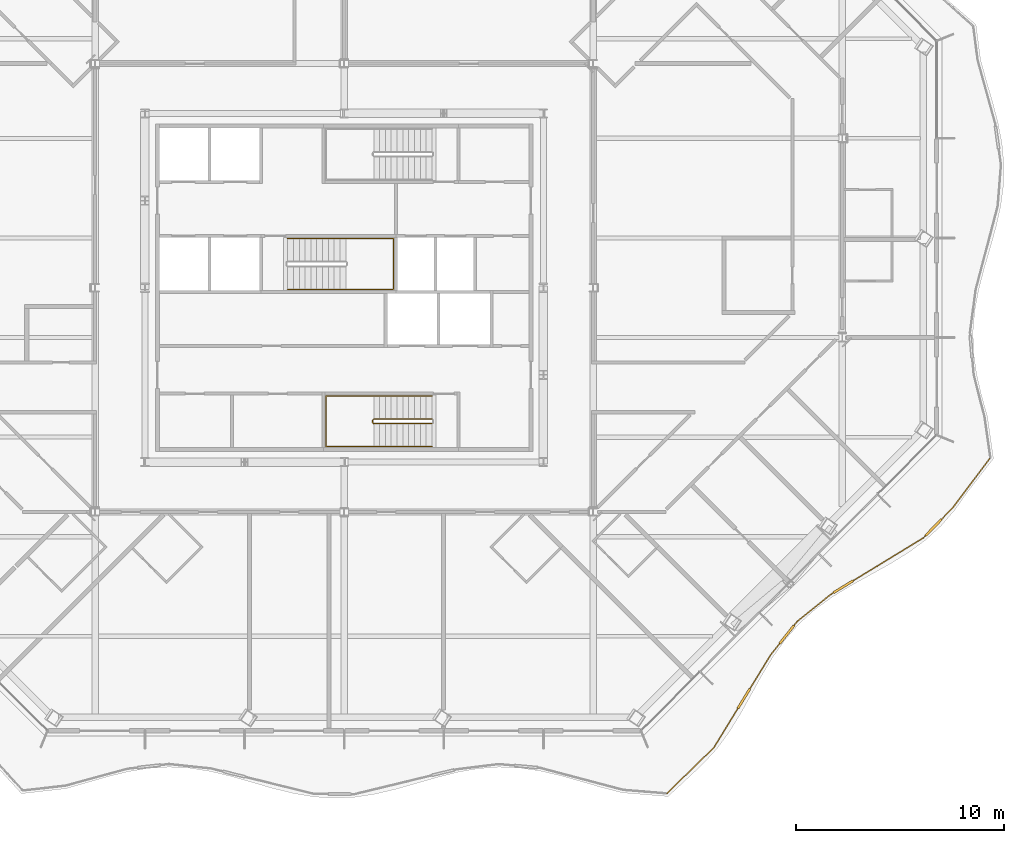
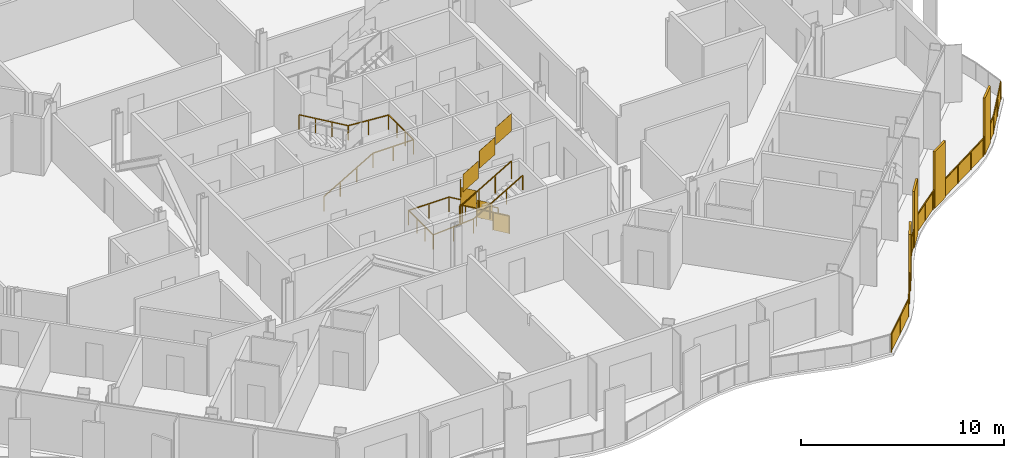
# One storey, part 18 of 21: 4 railings.
"""IFC4 building model written with IfcOpenShell, lengths in metres."""

from ifc_helpers import new_model, si_unit, direction, frame, origin, origin_2d, place, context, subcontext, project, spatial, polyline, rectangle, outline, extrude, material, type_object, element, save


model = new_model("IFC4")

# Units and contexts
model_context = context("Model", 3, precision=1e-05, world=origin(), true_north=direction((0.0, 1.0)))
body_context = subcontext(model_context, "Body", "Model", "MODEL_VIEW")
ifc_project = project(units=[si_unit("LENGTHUNIT", "METRE"), si_unit("AREAUNIT", "SQUARE_METRE"), si_unit("VOLUMEUNIT", "CUBIC_METRE"), si_unit("PLANEANGLEUNIT", "RADIAN"), si_unit("MASSUNIT", "GRAM", prefix="KILO")], contexts=[model_context])

# Site, building, storey
site_placement = place(None, origin())
site = spatial("IfcSite", under=ifc_project, at=site_placement, CompositionType="ELEMENT")
building_placement = place(site_placement, origin())
building = spatial("IfcBuilding", under=site, at=building_placement, Name="Cairn Pilgrim Tower", CompositionType="ELEMENT")
storey_placement = place(building_placement, frame((0.0, 0.0, 172.199951171875)))
storey = spatial("IfcBuildingStorey", under=building, at=storey_placement, Name="L43", CompositionType="ELEMENT", Elevation=172.199951171875)

# Railings
ifc_material_1 = material(Name="Bronze anodised aluminium rail, posts and fin screens with laminated glass infill", Category="aluminium")
railing_type_1 = type_object("IfcRailingType", Name="BALCONY GUARD WITH FIN SCREENS", PredefinedType="GUARDRAIL", material=ifc_material_1)
railing_1_placement = place(storey_placement, frame((22.7529296875, -21.963134765625, 0.0)))
element("IfcRailing", 1, at=railing_1_placement, inside=storey, type_object=railing_type_1, Name="Balcony guard BGF-2 with fin screens", PredefinedType="GUARDRAIL", context=body_context, shape_type="SweptSolid", body=[
    extrude(rectangle(XDim=0.050048828125, YDim=0.050048828125, at=origin_2d()), frame((0.0, 0.0, 1.0751953125), z_axis=(0.716130519256, 0.697966388439, 0.0), x_axis=(-0.697966388439, 0.716130519256, 0.0)), (0.0, 0.0, 1.0), 3.15869140625),
    extrude(rectangle(XDim=1.10009765625, YDim=0.110107421875, at=origin_2d()), frame((3.70947265625, 4.569091796875, 0.0), z_axis=(0.0, 0.0, 1.0), x_axis=(0.52208660069, 0.852892479378, 0.0)), (0.0, 0.0, 1.0), 3.39990234375),
    extrude(rectangle(XDim=0.050048828125, YDim=0.050048828125, at=origin_2d()), frame((2.261962890625, 2.20458984375, 1.0751953125), z_axis=(0.52208660069, 0.852892479378, 0.0), x_axis=(-0.852892479378, 0.52208660069, 0.0)), (0.0, 0.0, 1.0), 2.222412109375),
    extrude(rectangle(XDim=0.050048828125, YDim=0.050048828125, at=origin_2d()), frame((3.99658203125, 5.038330078125, 1.0751953125), z_axis=(0.52208660069, 0.852892479378, 0.0), x_axis=(-0.852892479378, 0.52208660069, 0.0)), (0.0, 0.0, 1.0), 1.904296875),
    extrude(rectangle(XDim=1.10009765625, YDim=0.110107421875, at=origin_2d()), frame((5.779052734375, 7.65625, 0.0), z_axis=(0.0, 0.0, 1.0), x_axis=(0.621419604969, 0.783477934955, 0.0)), (0.0, 0.0, 1.0), 3.39990234375),
    extrude(rectangle(XDim=0.050048828125, YDim=0.050048828125, at=origin_2d()), frame((4.99072265625, 6.662353515625, 1.0751953125), z_axis=(0.621419604969, 0.783477934955, 0.0), x_axis=(-0.783477934955, 0.621419604969, 0.0)), (0.0, 0.0, 1.0), 0.71875),
    extrude(rectangle(XDim=0.050048828125, YDim=0.050048828125, at=origin_2d()), frame((6.120849609375, 8.087158203125, 1.0751953125), z_axis=(0.621419604969, 0.783477934955, 0.0), x_axis=(-0.783477934955, 0.621419604969, 0.0)), (0.0, 0.0, 1.0), 0.25732421875),
    extrude(rectangle(XDim=0.050048828125, YDim=0.050048828125, at=origin_2d()), frame((6.28076171875, 8.288818359375, 1.0751953125), z_axis=(0.778867272827, 0.627188784434, 0.0), x_axis=(-0.627188784434, 0.778867272827, 0.0)), (0.0, 0.0, 1.0), 2.07470703125),
    extrude(rectangle(XDim=1.10009765625, YDim=0.110107421875, at=origin_2d()), frame((8.494140625, 9.95458984375, 0.0), z_axis=(0.0, 0.0, 1.0), x_axis=(0.853679739553, 0.520798331677, 0.0)), (0.0, 0.0, 1.0), 3.39990234375),
    extrude(rectangle(XDim=0.050048828125, YDim=0.050048828125, at=origin_2d()), frame((7.896728515625, 9.590087890625, 1.0751953125), z_axis=(0.853679739553, 0.520798331677, 0.0), x_axis=(-0.520798331677, 0.853679739553, 0.0)), (0.0, 0.0, 1.0), 0.14990234375),
    extrude(rectangle(XDim=0.050048828125, YDim=0.050048828125, at=origin_2d()), frame((8.9638671875, 10.240966796875, 1.0751953125), z_axis=(0.853679739553, 0.520798331677, 0.0), x_axis=(-0.520798331677, 0.853679739553, 0.0)), (0.0, 0.0, 1.0), 3.979248046875),
    extrude(rectangle(XDim=1.10009765625, YDim=0.110107421875, at=origin_2d()), frame((12.849609375, 12.814453125, 0.0), z_axis=(0.0, 0.0, 1.0), x_axis=(0.698360314303, 0.71574637366, 0.0)), (0.0, 0.0, 1.0), 3.39990234375),
    extrude(rectangle(XDim=0.050048828125, YDim=0.050048828125, at=origin_2d()), frame((12.36083984375, 12.3134765625, 1.0751953125), z_axis=(0.698360314303, 0.71574637366, 0.0), x_axis=(-0.71574637366, 0.698360314303, 0.0)), (0.0, 0.0, 1.0), 0.14990234375),
    extrude(rectangle(XDim=0.050048828125, YDim=0.050048828125, at=origin_2d()), frame((13.23388671875, 13.208251953125, 1.0751953125), z_axis=(0.698360314303, 0.71574637366, 0.0), x_axis=(-0.71574637366, 0.698360314303, 0.0)), (0.0, 0.0, 1.0), 0.758056640625),
    extrude(rectangle(XDim=0.050048828125, YDim=0.050048828125, at=origin_2d()), frame((13.76318359375, 13.750732421875, 1.0751953125), z_axis=(0.600605369971, 0.799545614435, 0.0), x_axis=(-0.799545614435, 0.600605369971, 0.0)), (0.0, 0.0, 1.0), 2.96728515625),
    extrude(rectangle(XDim=0.050048828125, YDim=0.050048828125, at=origin_2d()), origin(), (0.0, 0.0, 1.0), 1.050048828125),
    extrude(rectangle(XDim=0.050048828125, YDim=0.050048828125, at=origin_2d()), frame((1.130859375, 1.102294921875, 0.0)), (0.0, 0.0, 1.0), 1.050048828125),
    extrude(rectangle(XDim=0.050048828125, YDim=0.050048828125, at=origin_2d()), frame((2.261962890625, 2.20458984375, 0.0)), (0.0, 0.0, 1.0), 1.050048828125),
    extrude(rectangle(XDim=0.050048828125, YDim=0.050048828125, at=origin_2d()), frame((2.835693359375, 3.1416015625, 0.0)), (0.0, 0.0, 1.0), 1.050048828125),
    extrude(rectangle(XDim=0.050048828125, YDim=0.050048828125, at=origin_2d()), frame((3.4091796875, 4.07861328125, 0.0)), (0.0, 0.0, 1.0), 1.050048828125),
    extrude(rectangle(XDim=0.050048828125, YDim=0.050048828125, at=origin_2d()), frame((4.009521484375, 5.0595703125, 0.0)), (0.0, 0.0, 1.0), 1.050048828125),
    extrude(rectangle(XDim=0.050048828125, YDim=0.050048828125, at=origin_2d()), frame((4.500244140625, 5.861083984375, 0.0)), (0.0, 0.0, 1.0), 1.050048828125),
    extrude(rectangle(XDim=0.050048828125, YDim=0.050048828125, at=origin_2d()), frame((4.99072265625, 6.662353515625, 0.0)), (0.0, 0.0, 1.0), 1.050048828125),
    extrude(rectangle(XDim=0.050048828125, YDim=0.050048828125, at=origin_2d()), frame((5.421875, 7.205810546875, 0.0)), (0.0, 0.0, 1.0), 1.050048828125),
    extrude(rectangle(XDim=0.050048828125, YDim=0.050048828125, at=origin_2d()), frame((6.136474609375, 8.10693359375, 0.0)), (0.0, 0.0, 1.0), 1.050048828125),
    extrude(rectangle(XDim=0.050048828125, YDim=0.050048828125, at=origin_2d()), frame((6.28076171875, 8.288818359375, 0.0)), (0.0, 0.0, 1.0), 1.050048828125),
    extrude(rectangle(XDim=0.050048828125, YDim=0.050048828125, at=origin_2d()), frame((7.0888671875, 8.939453125, 0.0)), (0.0, 0.0, 1.0), 1.050048828125),
    extrude(rectangle(XDim=0.050048828125, YDim=0.050048828125, at=origin_2d()), frame((7.896728515625, 9.590087890625, 0.0)), (0.0, 0.0, 1.0), 1.050048828125),
    extrude(rectangle(XDim=0.050048828125, YDim=0.050048828125, at=origin_2d()), frame((8.00341796875, 9.655029296875, 0.0)), (0.0, 0.0, 1.0), 1.050048828125),
    extrude(rectangle(XDim=0.050048828125, YDim=0.050048828125, at=origin_2d()), frame((8.985107421875, 10.254150390625, 0.0)), (0.0, 0.0, 1.0), 1.050048828125),
    extrude(rectangle(XDim=0.050048828125, YDim=0.050048828125, at=origin_2d()), frame((10.1103515625, 10.940673828125, 0.0)), (0.0, 0.0, 1.0), 1.050048828125),
    extrude(rectangle(XDim=0.050048828125, YDim=0.050048828125, at=origin_2d()), frame((11.235595703125, 11.626953125, 0.0)), (0.0, 0.0, 1.0), 1.050048828125),
    extrude(rectangle(XDim=0.050048828125, YDim=0.050048828125, at=origin_2d()), frame((12.36083984375, 12.3134765625, 0.0)), (0.0, 0.0, 1.0), 1.050048828125),
    extrude(rectangle(XDim=0.050048828125, YDim=0.050048828125, at=origin_2d()), frame((12.447998046875, 12.40283203125, 0.0)), (0.0, 0.0, 1.0), 1.050048828125),
    extrude(rectangle(XDim=0.050048828125, YDim=0.050048828125, at=origin_2d()), frame((13.251220703125, 13.22607421875, 0.0)), (0.0, 0.0, 1.0), 1.050048828125),
    extrude(rectangle(XDim=0.050048828125, YDim=0.050048828125, at=origin_2d()), frame((13.76318359375, 13.750732421875, 0.0)), (0.0, 0.0, 1.0), 1.050048828125),
    extrude(rectangle(XDim=0.050048828125, YDim=0.050048828125, at=origin_2d()), frame((14.654296875, 14.93701171875, 0.0)), (0.0, 0.0, 1.0), 1.050048828125),
    extrude(rectangle(XDim=0.050048828125, YDim=0.050048828125, at=origin_2d()), frame((15.54541015625, 16.123291015625, 0.0)), (0.0, 0.0, 1.0), 1.050048828125),
    extrude(outline(polyline([(0.02490234375, 0.0), (1.55419921875, 0.0), (1.55419921875, 1.050048828125), (0.02490234375, 1.050048828125), (0.02490234375, 0.0)])), frame((-0.004150390625, 0.00439453125, 0.0), z_axis=(0.697966388439, -0.716130519256, 0.0), x_axis=(0.716130519256, 0.697966388439, 0.0)), (0.0, 0.0, 1.0), 0.011962890625),
    extrude(outline(polyline([(0.02490234375, 0.0), (1.55419921875, 0.0), (1.55419921875, 1.050048828125), (0.02490234375, 1.050048828125), (0.02490234375, 0.0)])), frame((1.126708984375, 1.106689453125, 0.0), z_axis=(0.697966388439, -0.716130519256, 0.0), x_axis=(0.716130519256, 0.697966388439, 0.0)), (0.0, 0.0, 1.0), 0.011962890625),
    extrude(outline(polyline([(0.02490234375, 0.0), (1.07373046875, 0.0), (1.07373046875, 1.050048828125), (0.02490234375, 1.050048828125), (0.02490234375, 0.0)])), frame((2.2568359375, 2.207763671875, 0.0), z_axis=(0.852892479378, -0.52208660069, 0.0), x_axis=(0.52208660069, 0.852892479378, 0.0)), (0.0, 0.0, 1.0), 0.011962890625),
    extrude(outline(polyline([(0.02490234375, 0.0), (1.07373046875, 0.0), (1.07373046875, 1.050048828125), (0.02490234375, 1.050048828125), (0.02490234375, 0.0)])), frame((2.83056640625, 3.144775390625, 0.0), z_axis=(0.852892479378, -0.52208660069, 0.0), x_axis=(0.52208660069, 0.852892479378, 0.0)), (0.0, 0.0, 1.0), 0.011962890625),
    extrude(outline(polyline([(0.02490234375, 0.0), (0.91455078125, 0.0), (0.91455078125, 1.050048828125), (0.02490234375, 1.050048828125), (0.02490234375, 0.0)])), frame((4.00439453125, 5.062744140625, 0.0), z_axis=(0.852892479378, -0.52208660069, 0.0), x_axis=(0.52208660069, 0.852892479378, 0.0)), (0.0, 0.0, 1.0), 0.011962890625),
    extrude(outline(polyline([(0.02490234375, 0.0), (0.91455078125, 0.0), (0.91455078125, 1.050048828125), (0.02490234375, 1.050048828125), (0.02490234375, 0.0)])), frame((4.4951171875, 5.864013671875, 0.0), z_axis=(0.852892479378, -0.52208660069, 0.0), x_axis=(0.52208660069, 0.852892479378, 0.0)), (0.0, 0.0, 1.0), 0.011962890625),
    extrude(outline(polyline([(0.02490234375, 0.0), (0.668701171875, 0.0), (0.668701171875, 1.050048828125), (0.02490234375, 1.050048828125), (0.02490234375, 0.0)])), frame((4.986083984375, 6.666015625, 0.0), z_axis=(0.783477934955, -0.621419604969, 0.0), x_axis=(0.621419604969, 0.783477934955, 0.0)), (0.0, 0.0, 1.0), 0.011962890625),
    extrude(outline(polyline([(0.02490234375, 0.0), (0.207275390625, 0.0), (0.207275390625, 1.050048828125), (0.02490234375, 1.050048828125), (0.02490234375, 0.0)])), frame((6.1318359375, 8.110595703125, 0.0), z_axis=(0.783477934955, -0.621419604969, 0.0), x_axis=(0.621419604969, 0.783477934955, 0.0)), (0.0, 0.0, 1.0), 0.011962890625),
    extrude(outline(polyline([(0.02490234375, 0.0), (1.012451171875, 0.0), (1.012451171875, 1.050048828125), (0.02490234375, 1.050048828125), (0.02490234375, 0.0)])), frame((6.277099609375, 8.29345703125, 0.0), z_axis=(0.627188784434, -0.778867272827, 0.0), x_axis=(0.778867272827, 0.627188784434, 0.0)), (0.0, 0.0, 1.0), 0.011962890625),
    extrude(outline(polyline([(0.02490234375, 0.0), (1.012451171875, 0.0), (1.012451171875, 1.050048828125), (0.02490234375, 1.050048828125), (0.02490234375, 0.0)])), frame((7.0849609375, 8.944091796875, 0.0), z_axis=(0.627188784434, -0.778867272827, 0.0), x_axis=(0.778867272827, 0.627188784434, 0.0)), (0.0, 0.0, 1.0), 0.011962890625),
    extrude(outline(polyline([(0.02490234375, 0.0), (0.099853515625, 0.0), (0.099853515625, 1.050048828125), (0.02490234375, 1.050048828125), (0.02490234375, 0.0)])), frame((7.8935546875, 9.59521484375, 0.0), z_axis=(0.520798331677, -0.853679739553, 0.0), x_axis=(0.853679739553, 0.520798331677, 0.0)), (0.0, 0.0, 1.0), 0.011962890625),
    extrude(outline(polyline([(0.02490234375, 0.0), (1.29296875, 0.0), (1.29296875, 1.050048828125), (0.02490234375, 1.050048828125), (0.02490234375, 0.0)])), frame((8.98193359375, 10.25927734375, 0.0), z_axis=(0.520798331677, -0.853679739553, 0.0), x_axis=(0.853679739553, 0.520798331677, 0.0)), (0.0, 0.0, 1.0), 0.011962890625),
    extrude(outline(polyline([(0.02490234375, 0.0), (1.29296875, 0.0), (1.29296875, 1.050048828125), (0.02490234375, 1.050048828125), (0.02490234375, 0.0)])), frame((10.107177734375, 10.945556640625, 0.0), z_axis=(0.520798331677, -0.853679739553, 0.0), x_axis=(0.853679739553, 0.520798331677, 0.0)), (0.0, 0.0, 1.0), 0.011962890625),
    extrude(outline(polyline([(0.02490234375, 0.0), (1.29296875, 0.0), (1.29296875, 1.050048828125), (0.02490234375, 1.050048828125), (0.02490234375, 0.0)])), frame((11.232421875, 11.632080078125, 0.0), z_axis=(0.520798331677, -0.853679739553, 0.0), x_axis=(0.853679739553, 0.520798331677, 0.0)), (0.0, 0.0, 1.0), 0.011962890625),
    extrude(outline(polyline([(0.02490234375, 0.0), (0.099853515625, 0.0), (0.099853515625, 1.050048828125), (0.02490234375, 1.050048828125), (0.02490234375, 0.0)])), frame((12.3564453125, 12.317626953125, 0.0), z_axis=(0.71574637366, -0.698360314303, 0.0), x_axis=(0.698360314303, 0.71574637366, 0.0)), (0.0, 0.0, 1.0), 0.011962890625),
    extrude(outline(polyline([(0.02490234375, 0.0), (0.7080078125, 0.0), (0.7080078125, 1.050048828125), (0.02490234375, 1.050048828125), (0.02490234375, 0.0)])), frame((13.2470703125, 13.230224609375, 0.0), z_axis=(0.71574637366, -0.698360314303, 0.0), x_axis=(0.698360314303, 0.71574637366, 0.0)), (0.0, 0.0, 1.0), 0.011962890625),
    extrude(outline(polyline([(0.02490234375, 0.0), (1.458740234375, 0.0), (1.458740234375, 1.050048828125), (0.02490234375, 1.050048828125), (0.02490234375, 0.0)])), frame((13.75830078125, 13.75439453125, 0.0), z_axis=(0.799545614435, -0.600605369971, 0.0), x_axis=(0.600605369971, 0.799545614435, 0.0)), (0.0, 0.0, 1.0), 0.011962890625),
    extrude(outline(polyline([(0.02490234375, 0.0), (1.458740234375, 0.0), (1.458740234375, 1.050048828125), (0.02490234375, 1.050048828125), (0.02490234375, 0.0)])), frame((14.6494140625, 14.940673828125, 0.0), z_axis=(0.799545614435, -0.600605369971, 0.0), x_axis=(0.600605369971, 0.799545614435, 0.0)), (0.0, 0.0, 1.0), 0.011962890625),
])
ifc_material_2 = material(Name="Painted steel", Category="steel")
railing_type_2 = type_object("IfcRailingType", Name="STAIR GUARD 1100", PredefinedType="GUARDRAIL", material=ifc_material_2)
railing_2_placement = place(storey_placement, frame((11.425048828125, -3.925048828125, 0.16357421875)))
element("IfcRailing", 2, at=railing_2_placement, inside=storey, type_object=railing_type_2, Name="L43 ST-A stair guard 1", PredefinedType="GUARDRAIL", context=body_context, shape_type="SweptSolid", body=[
    extrude(rectangle(XDim=0.048095703125, YDim=0.048095703125, at=origin_2d()), frame((0.0, 0.0, 1.076171875), z_axis=(-0.863360870873, 0.0, 0.504586966384), x_axis=(0.0, -1.0, 0.0)), (0.0, 0.0, 1.0), 3.2431640625),
    extrude(rectangle(XDim=0.048095703125, YDim=0.048095703125, at=origin_2d()), frame((-2.800048828125, 0.0, 2.71240234375), z_axis=(-0.707106781187, -0.707106781187, 0.0), x_axis=(0.707106781187, -0.707106781187, 0.0)), (0.0, 0.0, 1.0), 0.07080078125),
    extrude(rectangle(XDim=0.048095703125, YDim=0.048095703125, at=origin_2d()), frame((-2.85009765625, -0.050048828125, 2.71240234375), z_axis=(0.0, -1.0, 0.0), x_axis=(1.0, 0.0, 0.0)), (0.0, 0.0, 1.0), 0.125),
    extrude(rectangle(XDim=0.048095703125, YDim=0.048095703125, at=origin_2d()), frame((-2.85009765625, -0.175048828125, 2.71240234375), z_axis=(0.280916556609, -0.279546231943, 0.91811752648), x_axis=(0.705375805398, 0.708833529934, 0.0)), (0.0, 0.0, 1.0), 0.17822265625),
    extrude(rectangle(XDim=0.048095703125, YDim=0.048095703125, at=origin_2d()), frame((-2.800048828125, -0.224853515625, 2.8759765625), z_axis=(0.863360870873, 0.0, 0.504586966384), x_axis=(0.0, 1.0, 0.0)), (0.0, 0.0, 1.0), 3.2431640625),
    extrude(rectangle(XDim=0.0419921875, YDim=0.0419921875, at=origin_2d()), origin(), (0.0, 0.0, 1.0), 1.052001953125),
    extrude(rectangle(XDim=0.0419921875, YDim=0.0419921875, at=origin_2d()), frame((-0.933349609375, 0.0, 0.54541015625)), (0.0, 0.0, 1.0), 1.052001953125),
    extrude(rectangle(XDim=0.0419921875, YDim=0.0419921875, at=origin_2d()), frame((-1.86669921875, 0.0, 1.091064453125)), (0.0, 0.0, 1.0), 1.052001953125),
    extrude(rectangle(XDim=0.0419921875, YDim=0.0419921875, at=origin_2d()), frame((-2.800048828125, 0.0, 1.636474609375)), (0.0, 0.0, 1.0), 1.052001953125),
    extrude(rectangle(XDim=0.0419921875, YDim=0.0419921875, at=origin_2d()), frame((-2.85009765625, -0.050048828125, 1.636474609375)), (0.0, 0.0, 1.0), 1.052001953125),
    extrude(rectangle(XDim=0.0419921875, YDim=0.0419921875, at=origin_2d()), frame((-2.85009765625, -0.175048828125, 1.636474609375)), (0.0, 0.0, 1.0), 1.052001953125),
    extrude(rectangle(XDim=0.0419921875, YDim=0.0419921875, at=origin_2d()), frame((-2.800048828125, -0.224853515625, 1.800048828125)), (0.0, 0.0, 1.0), 1.052001953125),
    extrude(rectangle(XDim=0.0419921875, YDim=0.0419921875, at=origin_2d()), frame((-1.86669921875, -0.224853515625, 2.345458984375)), (0.0, 0.0, 1.0), 1.052001953125),
    extrude(rectangle(XDim=0.0419921875, YDim=0.0419921875, at=origin_2d()), frame((-0.933349609375, -0.224853515625, 2.89111328125)), (0.0, 0.0, 1.0), 1.052001953125),
    extrude(rectangle(XDim=0.0419921875, YDim=0.0419921875, at=origin_2d()), frame((0.0, -0.224853515625, 3.4365234375)), (0.0, 0.0, 1.0), 1.052001953125),
    extrude(outline(polyline([(0.02099609375, 0.01220703125), (0.912353515625, 0.533203125), (0.912353515625, 1.585205078125), (0.02099609375, 1.064208984375), (0.02099609375, 0.01220703125)])), frame((0.0, -0.005859375, 0.0), z_axis=(0.0, 1.0, 0.0), x_axis=(-1.0, 0.0, 0.0)), (0.0, 0.0, 1.0), 0.011962890625),
    extrude(outline(polyline([(0.02099609375, 0.557861328125), (0.912353515625, 1.07861328125), (0.912353515625, 2.130615234375), (0.02099609375, 1.60986328125), (0.02099609375, 0.557861328125)])), frame((-0.933349609375, -0.005859375, 0.54541015625), z_axis=(0.0, 1.0, 0.0), x_axis=(-1.0, 0.0, 0.0)), (0.0, 0.0, 1.0), 0.011962890625),
    extrude(outline(polyline([(0.02099609375, 1.103271484375), (0.912353515625, 1.624267578125), (0.912353515625, 2.67626953125), (0.02099609375, 2.1552734375), (0.02099609375, 1.103271484375)])), frame((-1.86669921875, -0.005859375, 1.091064453125), z_axis=(0.0, 1.0, 0.0), x_axis=(-1.0, 0.0, 0.0)), (0.0, 0.0, 1.0), 0.011962890625),
    extrude(outline(polyline([(0.02099609375, 1.636474609375), (0.10400390625, 1.636474609375), (0.10400390625, 2.6884765625), (0.02099609375, 2.6884765625), (0.02099609375, 1.636474609375)])), frame((-2.84423828125, -0.050048828125, 1.636474609375), z_axis=(-1.0, 0.0, 0.0), x_axis=(0.0, -1.0, 0.0)), (0.0, 0.0, 1.0), 0.011962890625),
    extrude(outline(polyline([(0.02099609375, 1.812255859375), (0.912353515625, 2.333251953125), (0.912353515625, 3.38525390625), (0.02099609375, 2.8642578125), (0.02099609375, 1.812255859375)])), frame((-2.800048828125, -0.21875, 1.800048828125), z_axis=(0.0, -1.0, 0.0), x_axis=(1.0, 0.0, 0.0)), (0.0, 0.0, 1.0), 0.011962890625),
    extrude(outline(polyline([(0.02099609375, 2.35791015625), (0.912353515625, 2.878662109375), (0.912353515625, 3.9306640625), (0.02099609375, 3.409912109375), (0.02099609375, 2.35791015625)])), frame((-1.86669921875, -0.21875, 2.345458984375), z_axis=(0.0, -1.0, 0.0), x_axis=(1.0, 0.0, 0.0)), (0.0, 0.0, 1.0), 0.011962890625),
    extrude(outline(polyline([(0.02099609375, 2.9033203125), (0.912353515625, 3.42431640625), (0.912353515625, 4.476318359375), (0.02099609375, 3.955322265625), (0.02099609375, 2.9033203125)])), frame((-0.933349609375, -0.21875, 2.89111328125), z_axis=(0.0, -1.0, 0.0), x_axis=(1.0, 0.0, 0.0)), (0.0, 0.0, 1.0), 0.011962890625),
])
railing_type_3 = type_object("IfcRailingType", Name="STAIR HANDRAIL 900", PredefinedType="HANDRAIL", material=ifc_material_2)
railing_3_placement = place(storey_placement, frame((11.425048828125, -2.824951171875, 0.16357421875)))
element("IfcRailing", 3, at=railing_3_placement, inside=storey, type_object=railing_type_3, Name="L43 ST-A stair handrail 1", PredefinedType="HANDRAIL", context=body_context, shape_type="SweptSolid", body=[
    extrude(rectangle(XDim=0.048095703125, YDim=0.048095703125, at=origin_2d()), frame((0.0, 0.0, 0.8759765625), z_axis=(-0.863360870873, 0.0, 0.504586966384), x_axis=(0.0, -1.0, 0.0)), (0.0, 0.0, 1.0), 3.2431640625),
    extrude(rectangle(XDim=0.048095703125, YDim=0.048095703125, at=origin_2d()), frame((-2.800048828125, 0.0, 2.51220703125), z_axis=(-1.0, 0.0, 0.0), x_axis=(0.0, -1.0, 0.0)), (0.0, 0.0, 1.0), 2.300048828125),
    extrude(rectangle(XDim=0.048095703125, YDim=0.048095703125, at=origin_2d()), frame((-5.10009765625, 0.0, 2.51220703125), z_axis=(0.0, -1.0, 0.0), x_axis=(1.0, 0.0, 0.0)), (0.0, 0.0, 1.0), 2.425048828125),
    extrude(rectangle(XDim=0.048095703125, YDim=0.048095703125, at=origin_2d()), frame((-5.10009765625, -2.425048828125, 2.51220703125), z_axis=(0.997480687736, 0.0, 0.070938548008), x_axis=(0.0, 1.0, 0.0)), (0.0, 0.0, 1.0), 2.305908203125),
    extrude(rectangle(XDim=0.048095703125, YDim=0.048095703125, at=origin_2d()), frame((-2.800048828125, -2.425048828125, 2.67578125), z_axis=(0.863360870873, 0.0, 0.504586966384), x_axis=(0.0, 1.0, 0.0)), (0.0, 0.0, 1.0), 3.2431640625),
    extrude(rectangle(XDim=0.0419921875, YDim=0.0419921875, at=origin_2d()), origin(), (0.0, 0.0, 1.0), 0.851806640625),
    extrude(rectangle(XDim=0.0419921875, YDim=0.0419921875, at=origin_2d()), frame((-0.933349609375, 0.0, 0.54541015625)), (0.0, 0.0, 1.0), 0.851806640625),
    extrude(rectangle(XDim=0.0419921875, YDim=0.0419921875, at=origin_2d()), frame((-1.86669921875, 0.0, 1.091064453125)), (0.0, 0.0, 1.0), 0.851806640625),
    extrude(rectangle(XDim=0.0419921875, YDim=0.0419921875, at=origin_2d()), frame((-2.800048828125, 0.0, 1.636474609375)), (0.0, 0.0, 1.0), 0.851806640625),
    extrude(rectangle(XDim=0.0419921875, YDim=0.0419921875, at=origin_2d()), frame((-3.9501953125, 0.0, 1.636474609375)), (0.0, 0.0, 1.0), 0.851806640625),
    extrude(rectangle(XDim=0.0419921875, YDim=0.0419921875, at=origin_2d()), frame((-5.10009765625, 0.0, 1.636474609375)), (0.0, 0.0, 1.0), 0.851806640625),
    extrude(rectangle(XDim=0.0419921875, YDim=0.0419921875, at=origin_2d()), frame((-5.10009765625, -0.808349609375, 1.636474609375)), (0.0, 0.0, 1.0), 0.851806640625),
    extrude(rectangle(XDim=0.0419921875, YDim=0.0419921875, at=origin_2d()), frame((-5.10009765625, -1.61669921875, 1.636474609375)), (0.0, 0.0, 1.0), 0.851806640625),
    extrude(rectangle(XDim=0.0419921875, YDim=0.0419921875, at=origin_2d()), frame((-5.10009765625, -2.425048828125, 1.636474609375)), (0.0, 0.0, 1.0), 0.851806640625),
    extrude(rectangle(XDim=0.0419921875, YDim=0.0419921875, at=origin_2d()), frame((-3.9501953125, -2.425048828125, 1.71826171875)), (0.0, 0.0, 1.0), 0.851806640625),
    extrude(rectangle(XDim=0.0419921875, YDim=0.0419921875, at=origin_2d()), frame((-2.800048828125, -2.425048828125, 1.800048828125)), (0.0, 0.0, 1.0), 0.851806640625),
    extrude(rectangle(XDim=0.0419921875, YDim=0.0419921875, at=origin_2d()), frame((-1.86669921875, -2.425048828125, 2.345458984375)), (0.0, 0.0, 1.0), 0.851806640625),
    extrude(rectangle(XDim=0.0419921875, YDim=0.0419921875, at=origin_2d()), frame((-0.933349609375, -2.425048828125, 2.89111328125)), (0.0, 0.0, 1.0), 0.851806640625),
    extrude(rectangle(XDim=0.0419921875, YDim=0.0419921875, at=origin_2d()), frame((0.0, -2.425048828125, 3.4365234375)), (0.0, 0.0, 1.0), 0.851806640625),
])
railing_4_placement = place(storey_placement, frame((4.47509765625, 2.324951171875, 0.16357421875)))
element("IfcRailing", 4, at=railing_4_placement, inside=storey, type_object=railing_type_3, Name="L43 ST-B stair handrail 1", PredefinedType="HANDRAIL", context=body_context, shape_type="SweptSolid", body=[
    extrude(rectangle(XDim=0.048095703125, YDim=0.048095703125, at=origin_2d()), frame((0.0, 0.0, 0.8759765625), z_axis=(0.863341702679, 0.0, 0.504619762213), x_axis=(0.0, 1.0, 0.0)), (0.0, 0.0, 1.0), 3.242919921875),
    extrude(rectangle(XDim=0.048095703125, YDim=0.048095703125, at=origin_2d()), frame((2.7998046875, 0.0, 2.51220703125), z_axis=(1.0, 0.0, 0.0), x_axis=(0.0, 1.0, 0.0)), (0.0, 0.0, 1.0), 2.300048828125),
    extrude(rectangle(XDim=0.048095703125, YDim=0.048095703125, at=origin_2d()), frame((5.099853515625, 0.0, 2.51220703125), z_axis=(0.0, 1.0, 0.0), x_axis=(-1.0, 0.0, 0.0)), (0.0, 0.0, 1.0), 2.449951171875),
    extrude(rectangle(XDim=0.048095703125, YDim=0.048095703125, at=origin_2d()), frame((5.099853515625, 2.449951171875, 2.51220703125), z_axis=(-0.997480687736, 0.0, 0.070938548008), x_axis=(0.0, -1.0, 0.0)), (0.0, 0.0, 1.0), 2.305908203125),
    extrude(rectangle(XDim=0.048095703125, YDim=0.048095703125, at=origin_2d()), frame((2.7998046875, 2.449951171875, 2.67578125), z_axis=(-0.863341702679, 0.0, 0.504619762213), x_axis=(0.0, -1.0, 0.0)), (0.0, 0.0, 1.0), 3.242919921875),
    extrude(rectangle(XDim=0.0419921875, YDim=0.0419921875, at=origin_2d()), origin(), (0.0, 0.0, 1.0), 0.851806640625),
    extrude(rectangle(XDim=0.0419921875, YDim=0.0419921875, at=origin_2d()), frame((0.933349609375, 0.0, 0.54541015625)), (0.0, 0.0, 1.0), 0.851806640625),
    extrude(rectangle(XDim=0.0419921875, YDim=0.0419921875, at=origin_2d()), frame((1.866455078125, 0.0, 1.091064453125)), (0.0, 0.0, 1.0), 0.851806640625),
    extrude(rectangle(XDim=0.0419921875, YDim=0.0419921875, at=origin_2d()), frame((2.7998046875, 0.0, 1.636474609375)), (0.0, 0.0, 1.0), 0.851806640625),
    extrude(rectangle(XDim=0.0419921875, YDim=0.0419921875, at=origin_2d()), frame((3.94970703125, 0.0, 1.636474609375)), (0.0, 0.0, 1.0), 0.851806640625),
    extrude(rectangle(XDim=0.0419921875, YDim=0.0419921875, at=origin_2d()), frame((5.099853515625, 0.0, 1.636474609375)), (0.0, 0.0, 1.0), 0.851806640625),
    extrude(rectangle(XDim=0.0419921875, YDim=0.0419921875, at=origin_2d()), frame((5.099853515625, 0.816650390625, 1.636474609375)), (0.0, 0.0, 1.0), 0.851806640625),
    extrude(rectangle(XDim=0.0419921875, YDim=0.0419921875, at=origin_2d()), frame((5.099853515625, 1.63330078125, 1.636474609375)), (0.0, 0.0, 1.0), 0.851806640625),
    extrude(rectangle(XDim=0.0419921875, YDim=0.0419921875, at=origin_2d()), frame((5.099853515625, 2.449951171875, 1.636474609375)), (0.0, 0.0, 1.0), 0.851806640625),
    extrude(rectangle(XDim=0.0419921875, YDim=0.0419921875, at=origin_2d()), frame((3.94970703125, 2.449951171875, 1.71826171875)), (0.0, 0.0, 1.0), 0.851806640625),
    extrude(rectangle(XDim=0.0419921875, YDim=0.0419921875, at=origin_2d()), frame((2.7998046875, 2.449951171875, 1.800048828125)), (0.0, 0.0, 1.0), 0.851806640625),
    extrude(rectangle(XDim=0.0419921875, YDim=0.0419921875, at=origin_2d()), frame((1.866455078125, 2.449951171875, 2.345458984375)), (0.0, 0.0, 1.0), 0.851806640625),
    extrude(rectangle(XDim=0.0419921875, YDim=0.0419921875, at=origin_2d()), frame((0.933349609375, 2.449951171875, 2.89111328125)), (0.0, 0.0, 1.0), 0.851806640625),
    extrude(rectangle(XDim=0.0419921875, YDim=0.0419921875, at=origin_2d()), frame((0.0, 2.449951171875, 3.4365234375)), (0.0, 0.0, 1.0), 0.851806640625),
])

save(model, "model.ifc")
